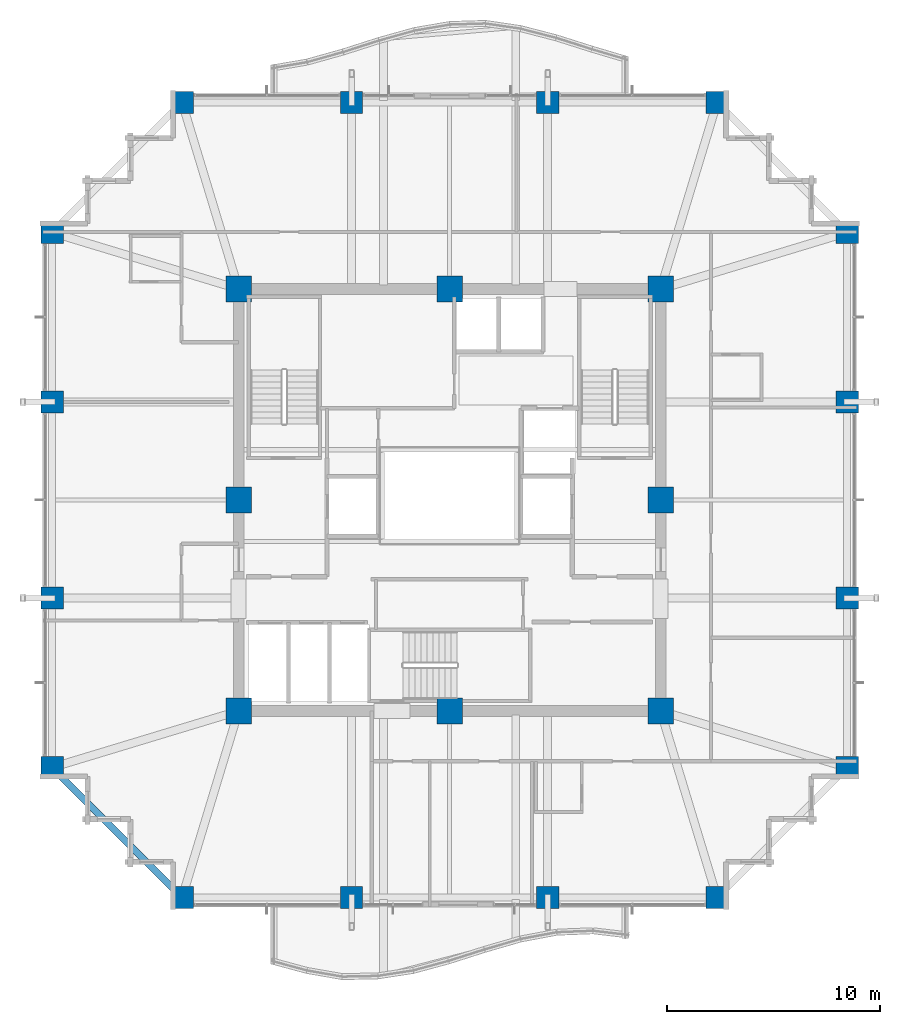
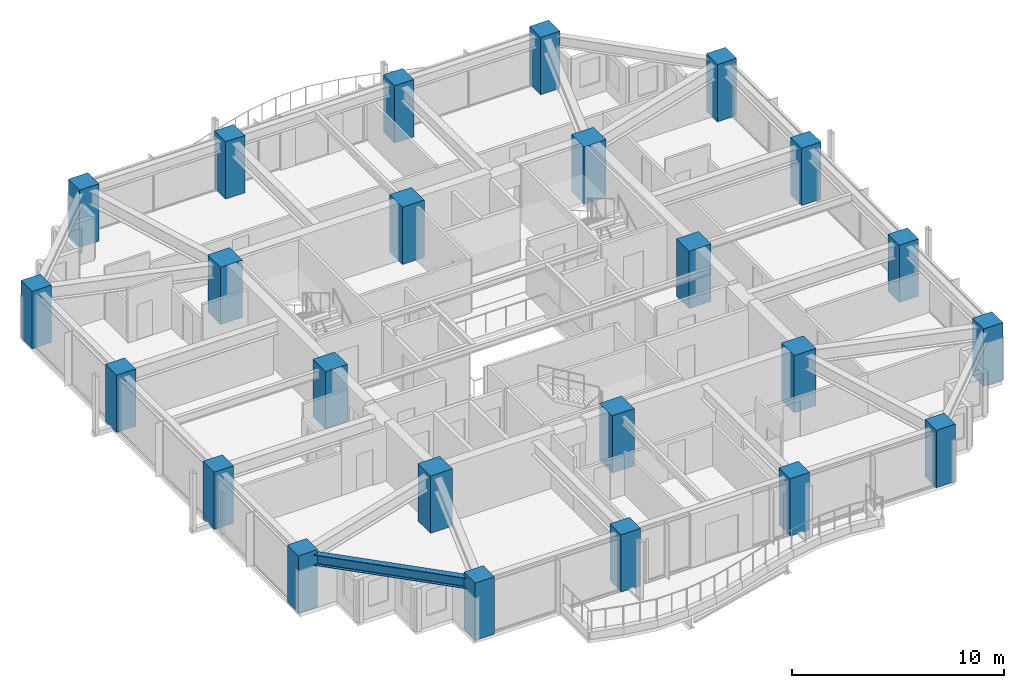
# One storey, part 1 of 31: 24 columns, 1 beam.
"""IFC4 building model written with IfcOpenShell, lengths in metres."""

from ifc_helpers import new_model, si_unit, direction, frame, origin, origin_2d, place, context, subcontext, project, spatial, rectangle, i_section, extrude, material, material_profile, profile_set, type_object, element, save


model = new_model("IFC4")

# Units and contexts
model_context = context("Model", 3, precision=1e-05, world=origin(), true_north=direction((0.0, 1.0)))
body_context = subcontext(model_context, "Body", "Model", "MODEL_VIEW")
ifc_project = project(units=[si_unit("LENGTHUNIT", "METRE"), si_unit("AREAUNIT", "SQUARE_METRE"), si_unit("VOLUMEUNIT", "CUBIC_METRE"), si_unit("PLANEANGLEUNIT", "RADIAN"), si_unit("MASSUNIT", "GRAM", prefix="KILO")], contexts=[model_context])

# Site, building, storey
site_placement = place(None, origin())
site = spatial("IfcSite", under=ifc_project, at=site_placement, CompositionType="ELEMENT")
building_placement = place(site_placement, origin())
building = spatial("IfcBuilding", under=site, at=building_placement, Name="Kolvaren Belvedere", CompositionType="ELEMENT")
storey_placement = place(building_placement, frame((0.0, 0.0, 118.39990234375)))
storey = spatial("IfcBuildingStorey", under=building, at=storey_placement, Name="L34", CompositionType="ELEMENT", Elevation=118.39990234375)

# Columns
ifc_material_1 = material(Name="Concrete C50/60", Category="concrete")
ifc_material_profile_1 = material_profile(ifc_material_1, rectangle(XDim=1.050048828125, YDim=1.050048828125, at=origin_2d()), Name="RC 1050X1050")
ifc_profile_set_1 = profile_set([ifc_material_profile_1], Name="Concrete C50/60")
column_type_1 = type_object("IfcColumnType", Name="COL-RC-1050", PredefinedType="COLUMN", material=ifc_profile_set_1)
for number, where, z_axis, x_axis, name in (
    (1, (-12.550048828125, -18.64990234375, 0.0), (0.0, 0.0, 1.0), (1.0, 0.0, 0.0), "L34 Perimeter Column S1"),
    (2, (-4.60009765625, -18.64990234375, 0.0), (0.0, 0.0, 1.0), (1.0, 0.0, 0.0), "L34 Perimeter Column S2"),
    (3, (4.60009765625, -18.64990234375, 0.0), (0.0, 0.0, 1.0), (1.0, 0.0, 0.0), "L34 Perimeter Column S3"),
    (4, (12.550048828125, -18.64990234375, 0.0), (0.0, 0.0, 1.0), (1.0, 0.0, 0.0), "L34 Perimeter Column S4"),
    (5, (-12.550048828125, 18.64990234375, 0.0), (0.0, 0.0, 1.0), (1.0, 0.0, 0.0), "L34 Perimeter Column N1"),
    (6, (-4.60009765625, 18.64990234375, 0.0), (0.0, 0.0, 1.0), (1.0, 0.0, 0.0), "L34 Perimeter Column N2"),
    (7, (4.60009765625, 18.64990234375, 0.0), (0.0, 0.0, 1.0), (1.0, 0.0, 0.0), "L34 Perimeter Column N3"),
    (8, (12.550048828125, 18.64990234375, 0.0), (0.0, 0.0, 1.0), (1.0, 0.0, 0.0), "L34 Perimeter Column N4"),
    (9, (-18.64990234375, -12.550048828125, 0.0), (0.0, 0.0, 1.0), (1.0, 0.0, 0.0), "L34 Perimeter Column W1"),
    (10, (-18.64990234375, -4.60009765625, 0.0), (0.0, 0.0, 1.0), (1.0, 0.0, 0.0), "L34 Perimeter Column W2"),
    (11, (-18.64990234375, 4.60009765625, 0.0), (0.0, 0.0, 1.0), (1.0, 0.0, 0.0), "L34 Perimeter Column W3"),
    (12, (-18.64990234375, 12.550048828125, 0.0), (0.0, 0.0, 1.0), (1.0, 0.0, 0.0), "L34 Perimeter Column W4"),
    (13, (18.64990234375, -12.550048828125, 0.0), (0.0, 0.0, 1.0), (1.0, 0.0, 0.0), "L34 Perimeter Column E1"),
    (14, (18.64990234375, -4.60009765625, 0.0), (0.0, 0.0, 1.0), (1.0, 0.0, 0.0), "L34 Perimeter Column E2"),
    (15, (18.64990234375, 4.60009765625, 0.0), (0.0, 0.0, 1.0), (1.0, 0.0, 0.0), "L34 Perimeter Column E3"),
    (16, (18.64990234375, 12.550048828125, 0.0), (0.0, 0.0, 1.0), (1.0, 0.0, 0.0), "L34 Perimeter Column E4"),
):
    element("IfcColumn", number, at=place(storey_placement, frame(where, z_axis=z_axis, x_axis=x_axis)), inside=storey, type_object=column_type_1, Name=name, PredefinedType="COLUMN", context=body_context, shape_type="SweptSolid", body=[
        extrude(rectangle(XDim=1.050048828125, YDim=1.050048828125, at=origin_2d()), origin(), (0.0, 0.0, 1.0), 3.300048828125),
    ])
ifc_material_2 = material(Name="Concrete C60/75", Category="concrete")
ifc_material_profile_2 = material_profile(ifc_material_2, rectangle(XDim=1.199951171875, YDim=1.199951171875, at=origin_2d()), Name="RC 1200X1200")
ifc_profile_set_2 = profile_set([ifc_material_profile_2], Name="Concrete C60/75")
column_type_2 = type_object("IfcColumnType", Name="COL-RC-1200", PredefinedType="COLUMN", material=ifc_profile_set_2)
for number, where, z_axis, x_axis, name in (
    (17, (-9.89990234375, -9.89990234375, 0.0), (0.0, 0.0, 1.0), (1.0, 0.0, 0.0), "L34 Core Column CC1"),
    (18, (9.89990234375, -9.89990234375, 0.0), (0.0, 0.0, 1.0), (1.0, 0.0, 0.0), "L34 Core Column CC2"),
    (19, (9.89990234375, 9.89990234375, 0.0), (0.0, 0.0, 1.0), (1.0, 0.0, 0.0), "L34 Core Column CC3"),
    (20, (-9.89990234375, 9.89990234375, 0.0), (0.0, 0.0, 1.0), (1.0, 0.0, 0.0), "L34 Core Column CC4"),
    (21, (0.0, -9.89990234375, 0.0), (0.0, 0.0, 1.0), (1.0, 0.0, 0.0), "L34 Core Column CM1"),
    (22, (9.89990234375, 0.0, 0.0), (0.0, 0.0, 1.0), (1.0, 0.0, 0.0), "L34 Core Column CM2"),
    (23, (0.0, 9.89990234375, 0.0), (0.0, 0.0, 1.0), (1.0, 0.0, 0.0), "L34 Core Column CM3"),
    (24, (-9.89990234375, 0.0, 0.0), (0.0, 0.0, 1.0), (1.0, 0.0, 0.0), "L34 Core Column CM4"),
):
    element("IfcColumn", number, at=place(storey_placement, frame(where, z_axis=z_axis, x_axis=x_axis)), inside=storey, type_object=column_type_2, Name=name, PredefinedType="COLUMN", context=body_context, shape_type="SweptSolid", body=[
        extrude(rectangle(XDim=1.199951171875, YDim=1.199951171875, at=origin_2d()), origin(), (0.0, 0.0, 1.0), 3.300048828125),
    ])

# Beam
ifc_material_3 = material(Name="Structural steel ASTM A992 Grade 50", Category="steel")
ifc_material_profile_3 = material_profile(ifc_material_3, i_section(OverallWidth=0.324951171875, OverallDepth=0.615966796875, WebThickness=0.013916015625, FlangeThickness=0.021484375, FilletRadius=0.02001953125, at=origin_2d()), Name="W24X117")
ifc_profile_set_3 = profile_set([ifc_material_profile_3], Name="Structural steel ASTM A992 Grade 50")
beam_type = type_object("IfcBeamType", Name="BM-SPAN-W24X117", PredefinedType="SPANDREL", material=ifc_profile_set_3)
beam_placement = place(storey_placement, frame((-18.48291015625, -12.717041015625, 2.772216796875), z_axis=(0.707106781187, -0.707106781187, 0.0), x_axis=(0.707106781187, 0.707106781187, 0.0)))
element("IfcBeam", 25, at=beam_placement, inside=storey, type_object=beam_type, Name="L34 Perimeter Spandrel W1-S1", PredefinedType="SPANDREL", context=body_context, shape_type="SweptSolid", body=[
    extrude(i_section(OverallWidth=0.324951171875, OverallDepth=0.615966796875, WebThickness=0.013916015625, FlangeThickness=0.021484375, FilletRadius=0.02001953125, at=origin_2d()), origin(), (0.0, 0.0, 1.0), 8.154052734375),
])

save(model, "model.ifc")
